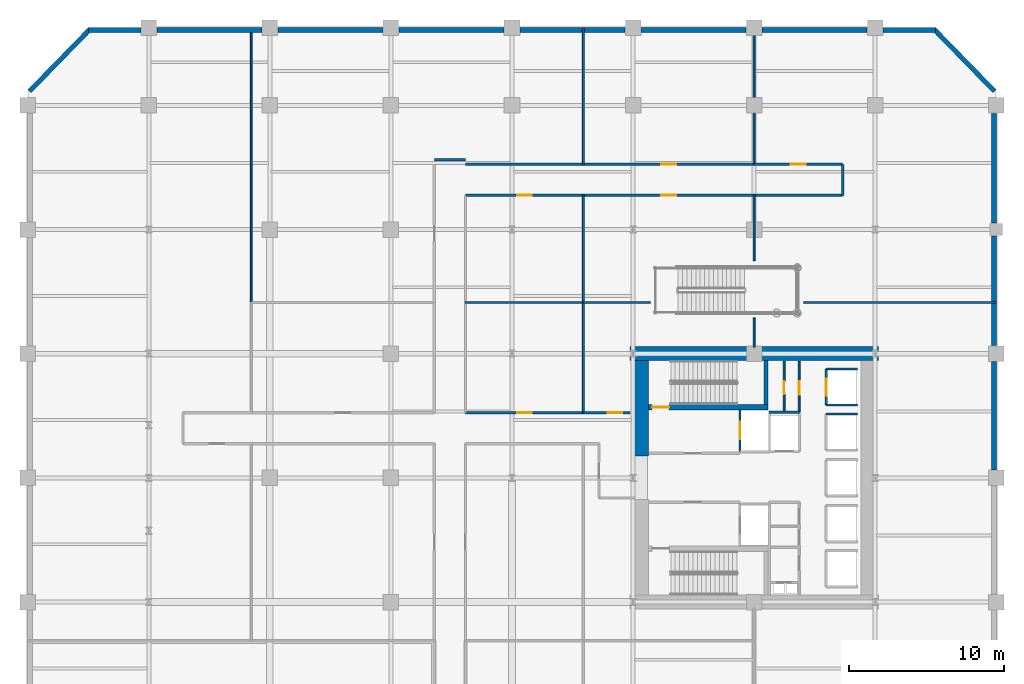
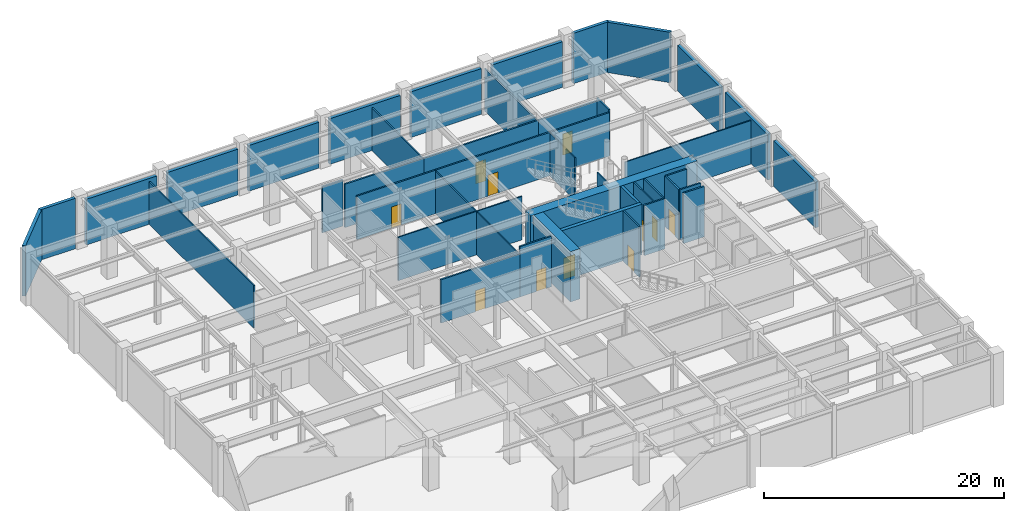
# One storey, part 9 of 12: 45 walls, 11 doors, 11 openings.
"""IFC4 building model written with IfcOpenShell, lengths in metres."""

from ifc_helpers import new_model, si_unit, direction, frame, frame_2d, origin, place, context, subcontext, project, spatial, rectangle, extrude, material, layer, layer_set, type_object, element, fill, save


model = new_model("IFC4")

# Units and contexts
model_context = context("Model", 3, precision=1e-05, world=origin(), true_north=direction((0.0, 1.0)))
body_context = subcontext(model_context, "Body", "Model", "MODEL_VIEW")
ifc_project = project(units=[si_unit("LENGTHUNIT", "METRE"), si_unit("AREAUNIT", "SQUARE_METRE"), si_unit("VOLUMEUNIT", "CUBIC_METRE"), si_unit("PLANEANGLEUNIT", "RADIAN"), si_unit("MASSUNIT", "GRAM", prefix="KILO")], contexts=[model_context])

# Site, building, storey
site_placement = place(None, origin())
site = spatial("IfcSite", under=ifc_project, at=site_placement, CompositionType="ELEMENT")
building_placement = place(site_placement, origin())
building = spatial("IfcBuilding", under=site, at=building_placement, Name="Veymaron Broadcast Tower", CompositionType="ELEMENT")
storey_placement = place(building_placement, frame((0.0, 0.0, 10.800048828125)))
storey = spatial("IfcBuildingStorey", under=building, at=storey_placement, Name="L02", CompositionType="ELEMENT", Elevation=10.800048828125)

# Walls
ifc_material_1 = material(Name="Precast concrete C40/50 with mineral-wool insulation", Category="concrete")
ifc_layer_1 = layer(ifc_material_1, 0.300048828125)
ifc_layer_set_1 = layer_set([ifc_layer_1], Name="Precast concrete C40/50 with mineral-wool insulation")
wall_type_1 = type_object("IfcWallType", Name="WALL-EXT-300", PredefinedType="STANDARD", material=ifc_layer_set_1)
wall_1_placement = place(storey_placement, frame((62.260009765625, 24.51806640625, 0.0), z_axis=(0.0, 0.0, 1.0), x_axis=(0.0, 1.0, 0.0)))
element("IfcWall", 1, at=wall_1_placement, inside=storey, type_object=wall_type_1, Name="L02 notched corner facade pier 2-5", PredefinedType="STANDARD", context=body_context, shape_type="SweptSolid", body=[
    extrude(rectangle(XDim=6.9638671875, YDim=0.300048828125, at=frame_2d((3.48193359375, 0.0))), origin(), (0.0, 0.0, 1.0), 4.64794921875),
])
for number, where, z_axis, x_axis, name in (
    (2, (62.260009765625, 32.51806640625, 0.0), (0.0, 0.0, 1.0), (0.0, 1.0, 0.0), "L02 notched corner facade pier 2-6"),
    (3, (62.260009765625, 40.41796875, 0.0), (0.0, 0.0, 1.0), (0.0, 1.0, 0.0), "L02 notched corner facade pier 2-7"),
):
    element("IfcWall", number, at=place(storey_placement, frame(where, z_axis=z_axis, x_axis=x_axis)), inside=storey, type_object=wall_type_1, Name=name, PredefinedType="STANDARD", context=body_context, shape_type="SweptSolid", body=[
        extrude(rectangle(XDim=7.06396484375, YDim=0.300048828125, at=frame_2d((3.531982421875, 0.0))), origin(), (0.0, 0.0, 1.0), 4.64794921875),
    ])
wall_2_placement = place(storey_placement, frame((62.29345703125, 48.90869140625, 0.0), z_axis=(0.0, 0.0, 1.0), x_axis=(-0.698076573741, 0.716023112193, 0.0)))
element("IfcWall", 4, at=wall_2_placement, inside=storey, type_object=wall_type_1, Name="L02 notched corner facade pier 3-1", PredefinedType="STANDARD", context=body_context, shape_type="SweptSolid", body=[
    extrude(rectangle(XDim=5.57763671875, YDim=0.300048828125, at=frame_2d((2.788818359375, 0.0))), origin(), (0.0, 0.0, 1.0), 5.119873046875),
])
wall_3_placement = place(storey_placement, frame((58.5, 52.860107421875, 0.0), z_axis=(0.0, 0.0, 1.0), x_axis=(-1.0, 0.0, 0.0)))
element("IfcWall", 5, at=wall_3_placement, inside=storey, type_object=wall_type_1, Name="L02 notched corner facade pier 4-1", PredefinedType="STANDARD", context=body_context, shape_type="SweptSolid", body=[
    extrude(rectangle(XDim=3.382080078125, YDim=0.300048828125, at=frame_2d((1.69091796875, 0.0))), origin(), (0.0, 0.0, 1.0), 5.119873046875),
])
for number, where, z_axis, x_axis, name in (
    (6, (54.08203125, 52.860107421875, 0.0), (0.0, 0.0, 1.0), (-1.0, 0.0, 0.0), "L02 notched corner facade pier 4-2"),
    (7, (46.281982421875, 52.860107421875, 0.0), (0.0, 0.0, 1.0), (-1.0, 0.0, 0.0), "L02 notched corner facade pier 4-3"),
    (8, (38.48193359375, 52.860107421875, 0.0), (0.0, 0.0, 1.0), (-1.0, 0.0, 0.0), "L02 notched corner facade pier 4-4"),
    (9, (30.681884765625, 52.860107421875, 0.0), (0.0, 0.0, 1.0), (-1.0, 0.0, 0.0), "L02 notched corner facade pier 4-5"),
):
    element("IfcWall", number, at=place(storey_placement, frame(where, z_axis=z_axis, x_axis=x_axis)), inside=storey, type_object=wall_type_1, Name=name, PredefinedType="STANDARD", context=body_context, shape_type="SweptSolid", body=[
        extrude(rectangle(XDim=6.763916015625, YDim=0.300048828125, at=frame_2d((3.3818359375, 0.0))), origin(), (0.0, 0.0, 1.0), 4.64794921875),
    ])
wall_4_placement = place(storey_placement, frame((22.882080078125, 52.860107421875, 0.0), z_axis=(0.0, 0.0, 1.0), x_axis=(-1.0, 0.0, 0.0)))
element("IfcWall", 10, at=wall_4_placement, inside=storey, type_object=wall_type_1, Name="L02 notched corner facade pier 4-6", PredefinedType="STANDARD", context=body_context, shape_type="SweptSolid", body=[
    extrude(rectangle(XDim=6.76416015625, YDim=0.300048828125, at=frame_2d((3.382080078125, 0.0))), origin(), (0.0, 0.0, 1.0), 4.64794921875),
])
wall_5_placement = place(storey_placement, frame((15.08203125, 52.860107421875, 0.0), z_axis=(0.0, 0.0, 1.0), x_axis=(-1.0, 0.0, 0.0)))
element("IfcWall", 11, at=wall_5_placement, inside=storey, type_object=wall_type_1, Name="L02 notched corner facade pier 4-7", PredefinedType="STANDARD", context=body_context, shape_type="SweptSolid", body=[
    extrude(rectangle(XDim=6.763916015625, YDim=0.300048828125, at=frame_2d((3.3818359375, 0.0))), origin(), (0.0, 0.0, 1.0), 4.64794921875),
])
wall_6_placement = place(storey_placement, frame((7.281982421875, 52.860107421875, 0.0), z_axis=(0.0, 0.0, 1.0), x_axis=(-1.0, 0.0, 0.0)))
element("IfcWall", 12, at=wall_6_placement, inside=storey, type_object=wall_type_1, Name="L02 notched corner facade pier 4-8", PredefinedType="STANDARD", context=body_context, shape_type="SweptSolid", body=[
    extrude(rectangle(XDim=3.382080078125, YDim=0.300048828125, at=frame_2d((1.69091796875, 0.0))), origin(), (0.0, 0.0, 1.0), 5.119873046875),
])
wall_7_placement = place(storey_placement, frame((4.000244140625, 52.90234375, 0.0), z_axis=(0.0, 0.0, 1.0), x_axis=(-0.698099014162, -0.716001233536, 0.0)))
element("IfcWall", 13, at=wall_7_placement, inside=storey, type_object=wall_type_1, Name="L02 notched corner facade pier 5-1", PredefinedType="STANDARD", context=body_context, shape_type="SweptSolid", body=[
    extrude(rectangle(XDim=5.57763671875, YDim=0.300048828125, at=frame_2d((2.788818359375, 0.0))), origin(), (0.0, 0.0, 1.0), 5.119873046875),
])

# Wall, opening, door
ifc_material_2 = material(Name="Gypsum fireboard and steel stud framing", Category="steel")
ifc_layer_2 = layer(ifc_material_2, 0.14990234375)
ifc_layer_set_2 = layer_set([ifc_layer_2], Name="Gypsum fireboard and steel stud framing")
wall_type_2 = type_object("IfcWallType", Name="WALL-FIRE-150", PredefinedType="PARTITIONING", material=ifc_layer_set_2)
wall_8_placement = place(storey_placement, frame((45.89501953125, 25.68994140625, 0.0), z_axis=(0.0, 0.0, 1.0), x_axis=(0.0, 1.0, 0.0)))
wall_8 = element("IfcWall", 14, at=wall_8_placement, inside=storey, type_object=wall_type_2, Name="L02 partition IW-L02-SHW-FFL-1", PredefinedType="PARTITIONING", context=body_context, shape_type="SweptSolid", body=[
    extrude(rectangle(XDim=2.719970703125, YDim=0.14990234375, at=frame_2d((1.35986328125, 0.0))), origin(), (0.0, 0.0, 1.0), 5.119873046875),
])
opening_1_placement = place(wall_8_placement, frame((0.81005859375, 0.0, 0.0)))
opening_1 = element("IfcOpeningElement", 15, at=opening_1_placement, cuts=wall_8, Name="Opening LD", PredefinedType="OPENING", context=body_context, shape_type="SweptSolid", body=[
    extrude(rectangle(XDim=1.10009765625, YDim=2.14990234375, at=frame_2d((0.550048828125, 1.074951171875))), frame((0.0, 0.0849609375, 0.0), z_axis=(0.0, -1.0, 0.0), x_axis=(1.0, 0.0, 0.0)), (0.0, 0.0, 1.0), 0.169921875),
])
ifc_material_3 = material(Name="Brushed stainless steel AISI 304", Category="steel")
door_type_1 = type_object("IfcDoorType", Name="DOOR-LIFT-1100", OperationType="DOUBLE_DOOR_SLIDING", PredefinedType="DOOR", material=ifc_material_3)
door_1_placement = place(opening_1_placement, frame((1.10009765625, 0.0, 0.0), z_axis=(0.0, 0.0, 1.0), x_axis=(-1.0, 0.0, 0.0)))
door_1 = element("IfcDoor", 16, at=door_1_placement, inside=storey, type_object=door_type_1, Name="L02 door LD-L02-FFL-1", OperationType="DOUBLE_DOOR_SLIDING", OverallHeight=2.14990234375, OverallWidth=1.10009765625, PredefinedType="DOOR", context=body_context, shape_type="SweptSolid", body=[
    extrude(rectangle(XDim=1.10009765625, YDim=2.14990234375, at=frame_2d((0.550048828125, 1.074951171875))), frame((0.0, 0.02490234375, 0.0), z_axis=(0.0, -1.0, 0.0), x_axis=(1.0, 0.0, 0.0)), (0.0, 0.0, 1.0), 0.050048828125),
])
fill(opening_1, door_1)

wall_9_placement = place(storey_placement, frame((51.445068359375, 28.68994140625, 0.0), z_axis=(0.0, 0.0, 1.0), x_axis=(0.0, 1.0, 0.0)))
wall_9 = element("IfcWall", 17, at=wall_9_placement, inside=storey, type_object=wall_type_2, Name="L02 partition IW-L02-SHW-PL1", PredefinedType="PARTITIONING", context=body_context, shape_type="SweptSolid", body=[
    extrude(rectangle(XDim=2.320068359375, YDim=0.14990234375, at=frame_2d((1.16015625, 0.0))), origin(), (0.0, 0.0, 1.0), 5.119873046875),
])
opening_2_placement = place(wall_9_placement, frame((0.610107421875, 0.0, 0.0)))
opening_2 = element("IfcOpeningElement", 18, at=opening_2_placement, cuts=wall_9, Name="Opening LD", PredefinedType="OPENING", context=body_context, shape_type="SweptSolid", body=[
    extrude(rectangle(XDim=1.10009765625, YDim=2.14990234375, at=frame_2d((0.550048828125, 1.074951171875))), frame((0.0, 0.0849609375, 0.0), z_axis=(0.0, -1.0, 0.0), x_axis=(1.0, 0.0, 0.0)), (0.0, 0.0, 1.0), 0.169921875),
])
door_2_placement = place(opening_2_placement, frame((1.10009765625, 0.0, 0.0), z_axis=(0.0, 0.0, 1.0), x_axis=(-1.0, 0.0, 0.0)))
door_2 = element("IfcDoor", 19, at=door_2_placement, inside=storey, type_object=door_type_1, Name="L02 door LD-L02-PL1", OperationType="DOUBLE_DOOR_SLIDING", OverallHeight=2.14990234375, OverallWidth=1.10009765625, PredefinedType="DOOR", context=body_context, shape_type="SweptSolid", body=[
    extrude(rectangle(XDim=1.10009765625, YDim=2.14990234375, at=frame_2d((0.550048828125, 1.074951171875))), frame((0.0, 0.02490234375, 0.0), z_axis=(0.0, -1.0, 0.0), x_axis=(1.0, 0.0, 0.0)), (0.0, 0.0, 1.0), 0.050048828125),
])
fill(opening_2, door_2)

# Walls
for number, where, z_axis, x_axis, name in (
    (20, (51.445068359375, 28.68994140625, 0.0), (0.0, 0.0, 1.0), (1.0, 0.0, 0.0), "L02 partition IW-L02-SHS-PL1"),
    (21, (51.445068359375, 31.010009765625, 0.0), (0.0, 0.0, 1.0), (1.0, 0.0, 0.0), "L02 partition IW-L02-SHN-PL1"),
    (22, (51.445068359375, 28.110107421875, 0.0), (0.0, 0.0, 1.0), (1.0, 0.0, 0.0), "L02 partition IW-L02-SHN-PM1"),
):
    element("IfcWall", number, at=place(storey_placement, frame(where, z_axis=z_axis, x_axis=x_axis)), inside=storey, type_object=wall_type_2, Name=name, PredefinedType="PARTITIONING", context=body_context, shape_type="SweptSolid", body=[
        extrude(rectangle(XDim=2.014892578125, YDim=0.14990234375, at=frame_2d((1.00732421875, 0.0))), origin(), (0.0, 0.0, 1.0), 5.119873046875),
    ])
wall_10_placement = place(storey_placement, frame((47.760009765625, 28.219970703125, 0.0), z_axis=(0.0, 0.0, 1.0), x_axis=(1.0, 0.0, 0.0)))
element("IfcWall", 23, at=wall_10_placement, inside=storey, type_object=wall_type_2, Name="L02 partition IW-L02-NM-S", PredefinedType="PARTITIONING", context=body_context, shape_type="SweptSolid", body=[
    extrude(rectangle(XDim=1.9599609375, YDim=0.14990234375, at=frame_2d((0.97998046875, 0.0))), origin(), (0.0, 0.0, 1.0), 5.119873046875),
])

# Wall, opening, door
wall_11_placement = place(storey_placement, frame((28.199951171875, 28.199951171875, 0.0), z_axis=(0.0, 0.0, 1.0), x_axis=(1.0, 0.0, 0.0)))
wall_11 = element("IfcWall", 24, at=wall_11_placement, inside=storey, type_object=wall_type_2, Name="L02 partition IW-L02-P19", PredefinedType="PARTITIONING", context=body_context, shape_type="SweptSolid", body=[
    extrude(rectangle(XDim=7.60009765625, YDim=0.14990234375, at=frame_2d((3.800048828125, 0.0))), origin(), (0.0, 0.0, 1.0), 4.4150390625),
])
opening_3_placement = place(wall_11_placement, frame((3.324951171875, 0.0, 0.0)))
opening_3 = element("IfcOpeningElement", 25, at=opening_3_placement, cuts=wall_11, Name="Opening ID-RM1", PredefinedType="OPENING", context=body_context, shape_type="SweptSolid", body=[
    extrude(rectangle(XDim=0.949951171875, YDim=2.14990234375, at=frame_2d((0.47509765625, 1.074951171875))), frame((0.0, 0.0849609375, 0.0), z_axis=(0.0, -1.0, 0.0), x_axis=(1.0, 0.0, 0.0)), (0.0, 0.0, 1.0), 0.169921875),
])
ifc_material_4 = material(Name="Acoustic solid-core European oak veneer timber", Category="wood")
door_type_2 = type_object("IfcDoorType", Name="DOOR-INT-950", OperationType="NOTDEFINED", PredefinedType="DOOR", material=ifc_material_4)
door_3_placement = place(opening_3_placement, origin())
door_3 = element("IfcDoor", 26, at=door_3_placement, inside=storey, type_object=door_type_2, Name="L02 door DR-L02-P19", OperationType="SINGLE_SWING_RIGHT", OverallHeight=2.14990234375, OverallWidth=0.949951171875, PredefinedType="DOOR", context=body_context, shape_type="SweptSolid", body=[
    extrude(rectangle(XDim=0.949951171875, YDim=2.14990234375, at=frame_2d((0.47509765625, 1.074951171875))), frame((0.0, 0.02490234375, 0.0), z_axis=(0.0, -1.0, 0.0), x_axis=(1.0, 0.0, 0.0)), (0.0, 0.0, 1.0), 0.050048828125),
])
fill(opening_3, door_3)

wall_12_placement = place(storey_placement, frame((35.800048828125, 28.199951171875, 0.0), z_axis=(0.0, 0.0, 1.0), x_axis=(1.0, 0.0, 0.0)))
wall_12 = element("IfcWall", 27, at=wall_12_placement, inside=storey, type_object=wall_type_2, Name="L02 partition IW-L02-P21", PredefinedType="PARTITIONING", context=body_context, shape_type="SweptSolid", body=[
    extrude(rectangle(XDim=3.0, YDim=0.14990234375, at=frame_2d((1.5, 0.0))), origin(), (0.0, 0.0, 1.0), 5.119873046875),
])
opening_4_placement = place(wall_12_placement, frame((1.56494140625, 0.0, 0.0)))
opening_4 = element("IfcOpeningElement", 28, at=opening_4_placement, cuts=wall_12, Name="Opening ID-RM1", PredefinedType="OPENING", context=body_context, shape_type="SweptSolid", body=[
    extrude(rectangle(XDim=0.949951171875, YDim=2.14990234375, at=frame_2d((0.47509765625, 1.074951171875))), frame((0.0, 0.0849609375, 0.0), z_axis=(0.0, -1.0, 0.0), x_axis=(1.0, 0.0, 0.0)), (0.0, 0.0, 1.0), 0.169921875),
])
door_4_placement = place(opening_4_placement, origin())
door_4 = element("IfcDoor", 29, at=door_4_placement, inside=storey, type_object=door_type_2, Name="L02 door DR-L02-P21", OperationType="SINGLE_SWING_RIGHT", OverallHeight=2.14990234375, OverallWidth=0.949951171875, PredefinedType="DOOR", context=body_context, shape_type="SweptSolid", body=[
    extrude(rectangle(XDim=0.949951171875, YDim=2.14990234375, at=frame_2d((0.47509765625, 1.074951171875))), frame((0.0, 0.02490234375, 0.0), z_axis=(0.0, -1.0, 0.0), x_axis=(1.0, 0.0, 0.0)), (0.0, 0.0, 1.0), 0.050048828125),
])
fill(opening_4, door_4)

wall_13_placement = place(storey_placement, frame((28.199951171875, 42.199951171875, 0.0), z_axis=(0.0, 0.0, 1.0), x_axis=(1.0, 0.0, 0.0)))
wall_13 = element("IfcWall", 30, at=wall_13_placement, inside=storey, type_object=wall_type_2, Name="L02 partition IW-L02-P25", PredefinedType="PARTITIONING", context=body_context, shape_type="SweptSolid", body=[
    extrude(rectangle(XDim=7.60009765625, YDim=0.14990234375, at=frame_2d((3.800048828125, 0.0))), origin(), (0.0, 0.0, 1.0), 4.4150390625),
])
opening_5_placement = place(wall_13_placement, frame((3.324951171875, 0.0, 0.0)))
opening_5 = element("IfcOpeningElement", 31, at=opening_5_placement, cuts=wall_13, Name="Opening ID-RM1", PredefinedType="OPENING", context=body_context, shape_type="SweptSolid", body=[
    extrude(rectangle(XDim=0.949951171875, YDim=2.14990234375, at=frame_2d((0.47509765625, 1.074951171875))), frame((0.0, 0.0849609375, 0.0), z_axis=(0.0, -1.0, 0.0), x_axis=(1.0, 0.0, 0.0)), (0.0, 0.0, 1.0), 0.169921875),
])
door_5_placement = place(opening_5_placement, frame((0.949951171875, 0.0, 0.0), z_axis=(0.0, 0.0, 1.0), x_axis=(-1.0, 0.0, 0.0)))
door_5 = element("IfcDoor", 32, at=door_5_placement, inside=storey, type_object=door_type_2, Name="L02 door DR-L02-P25", OperationType="SINGLE_SWING_RIGHT", OverallHeight=2.14990234375, OverallWidth=0.949951171875, PredefinedType="DOOR", context=body_context, shape_type="SweptSolid", body=[
    extrude(rectangle(XDim=0.949951171875, YDim=2.14990234375, at=frame_2d((0.47509765625, 1.074951171875))), frame((0.0, 0.02490234375, 0.0), z_axis=(0.0, -1.0, 0.0), x_axis=(1.0, 0.0, 0.0)), (0.0, 0.0, 1.0), 0.050048828125),
])
fill(opening_5, door_5)

wall_14_placement = place(storey_placement, frame((35.800048828125, 42.199951171875, 0.0), z_axis=(0.0, 0.0, 1.0), x_axis=(1.0, 0.0, 0.0)))
wall_14 = element("IfcWall", 33, at=wall_14_placement, inside=storey, type_object=wall_type_2, Name="L02 partition IW-L02-P27", PredefinedType="PARTITIONING", context=body_context, shape_type="SweptSolid", body=[
    extrude(rectangle(XDim=11.0, YDim=0.14990234375, at=frame_2d((5.5, 0.0))), origin(), (0.0, 0.0, 1.0), 4.4150390625),
])
opening_6_placement = place(wall_14_placement, frame((5.02490234375, 0.0, 0.0)))
opening_6 = element("IfcOpeningElement", 34, at=opening_6_placement, cuts=wall_14, Name="Opening ID-RM1", PredefinedType="OPENING", context=body_context, shape_type="SweptSolid", body=[
    extrude(rectangle(XDim=0.949951171875, YDim=2.14990234375, at=frame_2d((0.47509765625, 1.074951171875))), frame((0.0, 0.0849609375, 0.0), z_axis=(0.0, -1.0, 0.0), x_axis=(1.0, 0.0, 0.0)), (0.0, 0.0, 1.0), 0.169921875),
])
door_6_placement = place(opening_6_placement, frame((0.949951171875, 0.0, 0.0), z_axis=(0.0, 0.0, 1.0), x_axis=(-1.0, 0.0, 0.0)))
door_6 = element("IfcDoor", 35, at=door_6_placement, inside=storey, type_object=door_type_2, Name="L02 door DR-L02-P27", OperationType="SINGLE_SWING_RIGHT", OverallHeight=2.14990234375, OverallWidth=0.949951171875, PredefinedType="DOOR", context=body_context, shape_type="SweptSolid", body=[
    extrude(rectangle(XDim=0.949951171875, YDim=2.14990234375, at=frame_2d((0.47509765625, 1.074951171875))), frame((0.0, 0.02490234375, 0.0), z_axis=(0.0, -1.0, 0.0), x_axis=(1.0, 0.0, 0.0)), (0.0, 0.0, 1.0), 0.050048828125),
])
fill(opening_6, door_6)

wall_15_placement = place(storey_placement, frame((46.800048828125, 44.199951171875, 0.0), z_axis=(0.0, 0.0, 1.0), x_axis=(1.0, 0.0, 0.0)))
wall_15 = element("IfcWall", 36, at=wall_15_placement, inside=storey, type_object=wall_type_2, Name="L02 partition IW-L02-P28", PredefinedType="PARTITIONING", context=body_context, shape_type="SweptSolid", body=[
    extrude(rectangle(XDim=5.699951171875, YDim=0.14990234375, at=frame_2d((2.85009765625, 0.0))), origin(), (0.0, 0.0, 1.0), 4.4150390625),
])
opening_7_placement = place(wall_15_placement, frame((2.375, 0.0, 0.0)))
opening_7 = element("IfcOpeningElement", 37, at=opening_7_placement, cuts=wall_15, Name="Opening ID-RM1", PredefinedType="OPENING", context=body_context, shape_type="SweptSolid", body=[
    extrude(rectangle(XDim=0.949951171875, YDim=2.14990234375, at=frame_2d((0.47509765625, 1.074951171875))), frame((0.0, 0.0849609375, 0.0), z_axis=(0.0, -1.0, 0.0), x_axis=(1.0, 0.0, 0.0)), (0.0, 0.0, 1.0), 0.169921875),
])
door_7_placement = place(opening_7_placement, origin())
door_7 = element("IfcDoor", 38, at=door_7_placement, inside=storey, type_object=door_type_2, Name="L02 door DR-L02-P28", OperationType="SINGLE_SWING_LEFT", OverallHeight=2.14990234375, OverallWidth=0.949951171875, PredefinedType="DOOR", context=body_context, shape_type="SweptSolid", body=[
    extrude(rectangle(XDim=0.949951171875, YDim=2.14990234375, at=frame_2d((0.47509765625, 1.074951171875))), frame((0.0, 0.02490234375, 0.0), z_axis=(0.0, -1.0, 0.0), x_axis=(1.0, 0.0, 0.0)), (0.0, 0.0, 1.0), 0.050048828125),
])
fill(opening_7, door_7)

wall_16_placement = place(storey_placement, frame((35.800048828125, 44.199951171875, 0.0), z_axis=(0.0, 0.0, 1.0), x_axis=(1.0, 0.0, 0.0)))
wall_16 = element("IfcWall", 39, at=wall_16_placement, inside=storey, type_object=wall_type_2, Name="L02 partition IW-L02-P34", PredefinedType="PARTITIONING", context=body_context, shape_type="SweptSolid", body=[
    extrude(rectangle(XDim=11.0, YDim=0.14990234375, at=frame_2d((5.5, 0.0))), origin(), (0.0, 0.0, 1.0), 4.4150390625),
])
opening_8_placement = place(wall_16_placement, frame((5.02490234375, 0.0, 0.0)))
opening_8 = element("IfcOpeningElement", 40, at=opening_8_placement, cuts=wall_16, Name="Opening ID-RM1", PredefinedType="OPENING", context=body_context, shape_type="SweptSolid", body=[
    extrude(rectangle(XDim=0.949951171875, YDim=2.14990234375, at=frame_2d((0.47509765625, 1.074951171875))), frame((0.0, 0.0849609375, 0.0), z_axis=(0.0, -1.0, 0.0), x_axis=(1.0, 0.0, 0.0)), (0.0, 0.0, 1.0), 0.169921875),
])
door_8_placement = place(opening_8_placement, origin())
door_8 = element("IfcDoor", 41, at=door_8_placement, inside=storey, type_object=door_type_2, Name="L02 door DR-L02-P34", OperationType="SINGLE_SWING_LEFT", OverallHeight=2.14990234375, OverallWidth=0.949951171875, PredefinedType="DOOR", context=body_context, shape_type="SweptSolid", body=[
    extrude(rectangle(XDim=0.949951171875, YDim=2.14990234375, at=frame_2d((0.47509765625, 1.074951171875))), frame((0.0, 0.02490234375, 0.0), z_axis=(0.0, -1.0, 0.0), x_axis=(1.0, 0.0, 0.0)), (0.0, 0.0, 1.0), 0.050048828125),
])
fill(opening_8, door_8)

# Walls
wall_17_placement = place(storey_placement, frame((46.800048828125, 42.199951171875, 0.0), z_axis=(0.0, 0.0, 1.0), x_axis=(1.0, 0.0, 0.0)))
element("IfcWall", 42, at=wall_17_placement, inside=storey, type_object=wall_type_2, Name="L02 partition IW-L02-P29", PredefinedType="PARTITIONING", context=body_context, shape_type="SweptSolid", body=[
    extrude(rectangle(XDim=5.699951171875, YDim=0.14990234375, at=frame_2d((2.85009765625, 0.0))), origin(), (0.0, 0.0, 1.0), 4.4150390625),
])
wall_18_placement = place(storey_placement, frame((52.5, 42.199951171875, 0.0), z_axis=(0.0, 0.0, 1.0), x_axis=(0.0, 1.0, 0.0)))
element("IfcWall", 43, at=wall_18_placement, inside=storey, type_object=wall_type_2, Name="L02 partition IW-L02-P30", PredefinedType="PARTITIONING", context=body_context, shape_type="SweptSolid", body=[
    extrude(rectangle(XDim=2.0, YDim=0.14990234375, at=frame_2d((1.0, 0.0))), origin(), (0.0, 0.0, 1.0), 4.700927734375),
])
wall_19_placement = place(storey_placement, frame((28.199951171875, 44.199951171875, 0.0), z_axis=(0.0, 0.0, 1.0), x_axis=(1.0, 0.0, 0.0)))
element("IfcWall", 44, at=wall_19_placement, inside=storey, type_object=wall_type_2, Name="L02 partition IW-L02-P32", PredefinedType="PARTITIONING", context=body_context, shape_type="SweptSolid", body=[
    extrude(rectangle(XDim=7.60009765625, YDim=0.14990234375, at=frame_2d((3.800048828125, 0.0))), origin(), (0.0, 0.0, 1.0), 4.4150390625),
])
wall_20_placement = place(storey_placement, frame((26.199951171875, 44.5, 0.0), z_axis=(0.0, 0.0, 1.0), x_axis=(1.0, 0.0, 0.0)))
element("IfcWall", 45, at=wall_20_placement, inside=storey, type_object=wall_type_2, Name="L02 partition IW-L02-P33", PredefinedType="PARTITIONING", context=body_context, shape_type="SweptSolid", body=[
    extrude(rectangle(XDim=2.0, YDim=0.14990234375, at=frame_2d((1.0, 0.0))), origin(), (0.0, 0.0, 1.0), 4.700927734375),
])

# Wall, opening, door
ifc_material_5 = material(Name="Acoustic gypsum board and galvanized stud", Category="gypsum")
ifc_layer_3 = layer(ifc_material_5, 0.1201171875)
ifc_layer_set_3 = layer_set([ifc_layer_3], Name="Acoustic gypsum board and galvanized stud")
wall_type_3 = type_object("IfcWallType", Name="WALL-PART-120", PredefinedType="PARTITIONING", material=ifc_layer_set_3)
wall_21_placement = place(storey_placement, frame((48.72998046875, 28.239990234375, 0.0), z_axis=(0.0, 0.0, 1.0), x_axis=(0.0, 1.0, 0.0)))
wall_21 = element("IfcWall", 46, at=wall_21_placement, inside=storey, type_object=wall_type_3, Name="L02 partition IW-L02-NM-VX", PredefinedType="PARTITIONING", context=body_context, shape_type="SweptSolid", body=[
    extrude(rectangle(XDim=3.280029296875, YDim=0.1201171875, at=frame_2d((1.64013671875, 0.0))), origin(), (0.0, 0.0, 1.0), 5.119873046875),
])
opening_9_placement = place(wall_21_placement, frame((1.14990234375, 0.0, 0.0)))
opening_9 = element("IfcOpeningElement", 47, at=opening_9_placement, cuts=wall_21, Name="Opening ID-WC1", PredefinedType="OPENING", context=body_context, shape_type="SweptSolid", body=[
    extrude(rectangle(XDim=0.85009765625, YDim=2.14990234375, at=frame_2d((0.425048828125, 1.074951171875))), frame((0.0, 0.070068359375, 0.0), z_axis=(0.0, -1.0, 0.0), x_axis=(1.0, 0.0, 0.0)), (0.0, 0.0, 1.0), 0.14013671875),
])
ifc_material_6 = material(Name="Moisture-resistant high-pressure laminate timber", Category="wood")
door_type_3 = type_object("IfcDoorType", Name="DOOR-INT-850", OperationType="NOTDEFINED", PredefinedType="DOOR", material=ifc_material_6)
door_9_placement = place(opening_9_placement, frame((0.85009765625, 0.0, 0.0), z_axis=(0.0, 0.0, 1.0), x_axis=(-1.0, 0.0, 0.0)))
door_9 = element("IfcDoor", 48, at=door_9_placement, inside=storey, type_object=door_type_3, Name="L02 door DR-L02-NMB", OperationType="SINGLE_SWING_LEFT", OverallHeight=2.14990234375, OverallWidth=0.85009765625, PredefinedType="DOOR", context=body_context, shape_type="SweptSolid", body=[
    extrude(rectangle(XDim=0.85009765625, YDim=2.14990234375, at=frame_2d((0.425048828125, 1.074951171875))), frame((0.0, 0.02490234375, 0.0), z_axis=(0.0, -1.0, 0.0), x_axis=(1.0, 0.0, 0.0)), (0.0, 0.0, 1.0), 0.050048828125),
])
fill(opening_9, door_9)

wall_22_placement = place(storey_placement, frame((49.699951171875, 28.219970703125, 0.0), z_axis=(0.0, 0.0, 1.0), x_axis=(0.0, 1.0, 0.0)))
wall_22 = element("IfcWall", 49, at=wall_22_placement, inside=storey, type_object=wall_type_3, Name="L02 partition IW-L02-NM-E", PredefinedType="PARTITIONING", context=body_context, shape_type="SweptSolid", body=[
    extrude(rectangle(XDim=3.300048828125, YDim=0.1201171875, at=frame_2d((1.64990234375, 0.0))), origin(), (0.0, 0.0, 1.0), 5.119873046875),
])
opening_10_placement = place(wall_22_placement, frame((1.14990234375, 0.0, 0.0)))
opening_10 = element("IfcOpeningElement", 50, at=opening_10_placement, cuts=wall_22, Name="Opening ID-WC1", PredefinedType="OPENING", context=body_context, shape_type="SweptSolid", body=[
    extrude(rectangle(XDim=0.85009765625, YDim=2.14990234375, at=frame_2d((0.425048828125, 1.074951171875))), frame((0.0, 0.070068359375, 0.0), z_axis=(0.0, -1.0, 0.0), x_axis=(1.0, 0.0, 0.0)), (0.0, 0.0, 1.0), 0.14013671875),
])
door_10_placement = place(opening_10_placement, frame((0.85009765625, 0.0, 0.0), z_axis=(0.0, 0.0, 1.0), x_axis=(-1.0, 0.0, 0.0)))
door_10 = element("IfcDoor", 51, at=door_10_placement, inside=storey, type_object=door_type_3, Name="L02 door DR-L02-NMA", OperationType="SINGLE_SWING_RIGHT", OverallHeight=2.14990234375, OverallWidth=0.85009765625, PredefinedType="DOOR", context=body_context, shape_type="SweptSolid", body=[
    extrude(rectangle(XDim=0.85009765625, YDim=2.14990234375, at=frame_2d((0.425048828125, 1.074951171875))), frame((0.0, 0.02490234375, 0.0), z_axis=(0.0, -1.0, 0.0), x_axis=(1.0, 0.0, 0.0)), (0.0, 0.0, 1.0), 0.050048828125),
])
fill(opening_10, door_10)

# Walls
wall_23_placement = place(storey_placement, frame((46.800048828125, 32.39990234375, 0.0), z_axis=(0.0, 0.0, 1.0), x_axis=(0.0, 1.0, 0.0)))
element("IfcWall", 52, at=wall_23_placement, inside=storey, type_object=wall_type_3, Name="L02 partition IW-L02-P44", PredefinedType="PARTITIONING", context=body_context, shape_type="SweptSolid", body=[
    extrude(rectangle(XDim=1.900146484375, YDim=0.1201171875, at=frame_2d((0.9501953125, 0.0))), origin(), (0.0, 0.0, 1.0), 5.119873046875),
])
wall_24_placement = place(storey_placement, frame((50.0, 35.300048828125, 0.0), z_axis=(0.0, 0.0, 1.0), x_axis=(1.0, 0.0, 0.0)))
element("IfcWall", 53, at=wall_24_placement, inside=storey, type_object=wall_type_3, Name="L02 partition IW-L02-P45", PredefinedType="PARTITIONING", context=body_context, shape_type="SweptSolid", body=[
    extrude(rectangle(XDim=12.39990234375, YDim=0.1201171875, at=frame_2d((6.199951171875, 0.0))), origin(), (0.0, 0.0, 1.0), 4.4150390625),
])
wall_25_placement = place(storey_placement, frame((35.800048828125, 28.199951171875, 0.0), z_axis=(0.0, 0.0, 1.0), x_axis=(0.0, 1.0, 0.0)))
element("IfcWall", 54, at=wall_25_placement, inside=storey, type_object=wall_type_3, Name="L02 partition IW-L02-P50", PredefinedType="PARTITIONING", context=body_context, shape_type="SweptSolid", body=[
    extrude(rectangle(XDim=7.10009765625, YDim=0.1201171875, at=frame_2d((3.550048828125, 0.0))), origin(), (0.0, 0.0, 1.0), 4.337890625),
])
wall_26_placement = place(storey_placement, frame((28.199951171875, 35.300048828125, 0.0), z_axis=(0.0, 0.0, 1.0), x_axis=(1.0, 0.0, 0.0)))
element("IfcWall", 55, at=wall_26_placement, inside=storey, type_object=wall_type_3, Name="L02 partition IW-L02-P51", PredefinedType="PARTITIONING", context=body_context, shape_type="SweptSolid", body=[
    extrude(rectangle(XDim=7.60009765625, YDim=0.1201171875, at=frame_2d((3.800048828125, 0.0))), origin(), (0.0, 0.0, 1.0), 4.4150390625),
])
wall_27_placement = place(storey_placement, frame((35.800048828125, 35.300048828125, 0.0), z_axis=(0.0, 0.0, 1.0), x_axis=(1.0, 0.0, 0.0)))
element("IfcWall", 56, at=wall_27_placement, inside=storey, type_object=wall_type_3, Name="L02 partition IW-L02-P52", PredefinedType="PARTITIONING", context=body_context, shape_type="SweptSolid", body=[
    extrude(rectangle(XDim=4.300048828125, YDim=0.1201171875, at=frame_2d((2.14990234375, 0.0))), origin(), (0.0, 0.0, 1.0), 4.4150390625),
])
wall_28_placement = place(storey_placement, frame((14.39990234375, 35.300048828125, 0.0), z_axis=(0.0, 0.0, 1.0), x_axis=(0.0, 1.0, 0.0)))
element("IfcWall", 57, at=wall_28_placement, inside=storey, type_object=wall_type_3, Name="L02 partition IW-L02-P53", PredefinedType="PARTITIONING", context=body_context, shape_type="SweptSolid", body=[
    extrude(rectangle(XDim=17.699951171875, YDim=0.1201171875, at=frame_2d((8.85009765625, 0.0))), origin(), (0.0, 0.0, 1.0), 4.337890625),
])
wall_29_placement = place(storey_placement, frame((35.800048828125, 35.300048828125, 0.0), z_axis=(0.0, 0.0, 1.0), x_axis=(0.0, 1.0, 0.0)))
element("IfcWall", 58, at=wall_29_placement, inside=storey, type_object=wall_type_3, Name="L02 partition IW-L02-P54", PredefinedType="PARTITIONING", context=body_context, shape_type="SweptSolid", body=[
    extrude(rectangle(XDim=6.89990234375, YDim=0.1201171875, at=frame_2d((3.449951171875, 0.0))), origin(), (0.0, 0.0, 1.0), 4.337890625),
])
wall_30_placement = place(storey_placement, frame((46.800048828125, 38.0, 0.0), z_axis=(0.0, 0.0, 1.0), x_axis=(0.0, 1.0, 0.0)))
element("IfcWall", 59, at=wall_30_placement, inside=storey, type_object=wall_type_3, Name="L02 partition IW-L02-P55", PredefinedType="PARTITIONING", context=body_context, shape_type="SweptSolid", body=[
    extrude(rectangle(XDim=4.199951171875, YDim=0.1201171875, at=frame_2d((2.10009765625, 0.0))), origin(), (0.0, 0.0, 1.0), 4.337890625),
])
for number, where, z_axis, x_axis, name in (
    (60, (46.800048828125, 44.199951171875, 0.0), (0.0, 0.0, 1.0), (0.0, 1.0, 0.0), "L02 partition IW-L02-P56"),
    (61, (35.800048828125, 44.199951171875, 0.0), (0.0, 0.0, 1.0), (0.0, 1.0, 0.0), "L02 partition IW-L02-P57"),
):
    element("IfcWall", number, at=place(storey_placement, frame(where, z_axis=z_axis, x_axis=x_axis)), inside=storey, type_object=wall_type_3, Name=name, PredefinedType="PARTITIONING", context=body_context, shape_type="SweptSolid", body=[
        extrude(rectangle(XDim=8.800048828125, YDim=0.1201171875, at=frame_2d((4.39990234375, 0.0))), origin(), (0.0, 0.0, 1.0), 4.337890625),
    ])
ifc_material_7 = material(Name="Concrete C50/60", Category="concrete")
ifc_layer_4 = layer(ifc_material_7, 0.25)
ifc_layer_set_4 = layer_set([ifc_layer_4], Name="Concrete C50/60")
wall_type_4 = type_object("IfcWallType", Name="WALL-SHEAR-250", PredefinedType="SHEAR", material=ifc_layer_set_4)
wall_31_placement = place(storey_placement, frame((47.56494140625, 28.72998046875, 0.0), z_axis=(0.0, 0.0, 1.0), x_axis=(0.0, 1.0, 0.0)))
element("IfcWall", 62, at=wall_31_placement, inside=storey, type_object=wall_type_4, Name="L02 Core Wall north stair east shear", PredefinedType="SHEAR", context=body_context, shape_type="SweptSolid", body=[
    extrude(rectangle(XDim=2.820068359375, YDim=0.25, at=frame_2d((1.41015625, 0.0))), origin(), (0.0, 0.0, 1.0), 5.119873046875),
])

# Wall, opening, door
ifc_layer_5 = layer(ifc_material_7, 0.35009765625)
ifc_layer_set_5 = layer_set([ifc_layer_5], Name="Concrete C50/60")
wall_type_5 = type_object("IfcWallType", Name="WALL-SHEAR-350", PredefinedType="SHEAR", material=ifc_layer_set_5)
wall_32_placement = place(storey_placement, frame((39.97998046875, 28.554931640625, 0.0), z_axis=(0.0, 0.0, 1.0), x_axis=(1.0, 0.0, 0.0)))
wall_32 = element("IfcWall", 63, at=wall_32_placement, inside=storey, type_object=wall_type_5, Name="L02 Core Wall north stair spine", PredefinedType="SHEAR", context=body_context, shape_type="SweptSolid", body=[
    extrude(rectangle(XDim=7.7099609375, YDim=0.35009765625, at=frame_2d((3.85498046875, 0.0))), origin(), (0.0, 0.0, 1.0), 5.119873046875),
])
opening_11_placement = place(wall_32_placement, frame((0.25, 0.0, 0.0)))
opening_11 = element("IfcOpeningElement", 64, at=opening_11_placement, cuts=wall_32, Name="Opening ID-ST1", PredefinedType="OPENING", context=body_context, shape_type="SweptSolid", body=[
    extrude(rectangle(XDim=1.10009765625, YDim=2.14990234375, at=frame_2d((0.550048828125, 1.074951171875))), frame((0.0, 0.18505859375, 0.0), z_axis=(0.0, -1.0, 0.0), x_axis=(1.0, 0.0, 0.0)), (0.0, 0.0, 1.0), 0.3701171875),
])
ifc_material_8 = material(Name="Fire-rated painted hollow steel ASTM A653", Category="steel")
door_type_4 = type_object("IfcDoorType", Name="DOOR-STAIR-1100", OperationType="NOTDEFINED", PredefinedType="DOOR", material=ifc_material_8)
door_11_placement = place(opening_11_placement, origin())
door_11 = element("IfcDoor", 65, at=door_11_placement, inside=storey, type_object=door_type_4, Name="L02 exit stair ST1 fire door", OperationType="SINGLE_SWING_LEFT", OverallHeight=2.14990234375, OverallWidth=1.10009765625, PredefinedType="DOOR", context=body_context, shape_type="SweptSolid", body=[
    extrude(rectangle(XDim=1.10009765625, YDim=2.14990234375, at=frame_2d((0.550048828125, 1.074951171875))), frame((0.0, 0.02490234375, 0.0), z_axis=(0.0, -1.0, 0.0), x_axis=(1.0, 0.0, 0.0)), (0.0, 0.0, 1.0), 0.050048828125),
])
fill(opening_11, door_11)

# Walls
ifc_material_9 = material(Name="Concrete C70/85", Category="concrete")
ifc_layer_6 = layer(ifc_material_9, 0.89990234375)
ifc_layer_set_6 = layer_set([ifc_layer_6], Name="Concrete C70/85")
wall_type_6 = type_object("IfcWallType", Name="WALL-SHEAR-900", PredefinedType="SHEAR", material=ifc_layer_set_6)
wall_33_placement = place(storey_placement, frame((38.800048828125, 32.0, 0.0), z_axis=(0.0, 0.0, 1.0), x_axis=(1.0, 0.0, 0.0)))
element("IfcWall", 66, at=wall_33_placement, inside=storey, type_object=wall_type_6, Name="L02 Core Wall north shear", PredefinedType="SHEAR", context=body_context, shape_type="SweptSolid", body=[
    extrude(rectangle(XDim=16.0, YDim=0.89990234375, at=frame_2d((8.0, 0.0))), origin(), (0.0, 0.0, 1.0), 5.119873046875),
])
wall_34_placement = place(storey_placement, frame((39.530029296875, 25.39990234375, 0.0), z_axis=(0.0, 0.0, 1.0), x_axis=(0.0, 1.0, 0.0)))
element("IfcWall", 67, at=wall_34_placement, inside=storey, type_object=wall_type_6, Name="L02 Core Wall west-north shear", PredefinedType="SHEAR", context=body_context, shape_type="SweptSolid", body=[
    extrude(rectangle(XDim=6.150146484375, YDim=0.89990234375, at=frame_2d((3.0751953125, 0.0))), origin(), (0.0, 0.0, 1.0), 5.119873046875),
])

save(model, "model.ifc")
